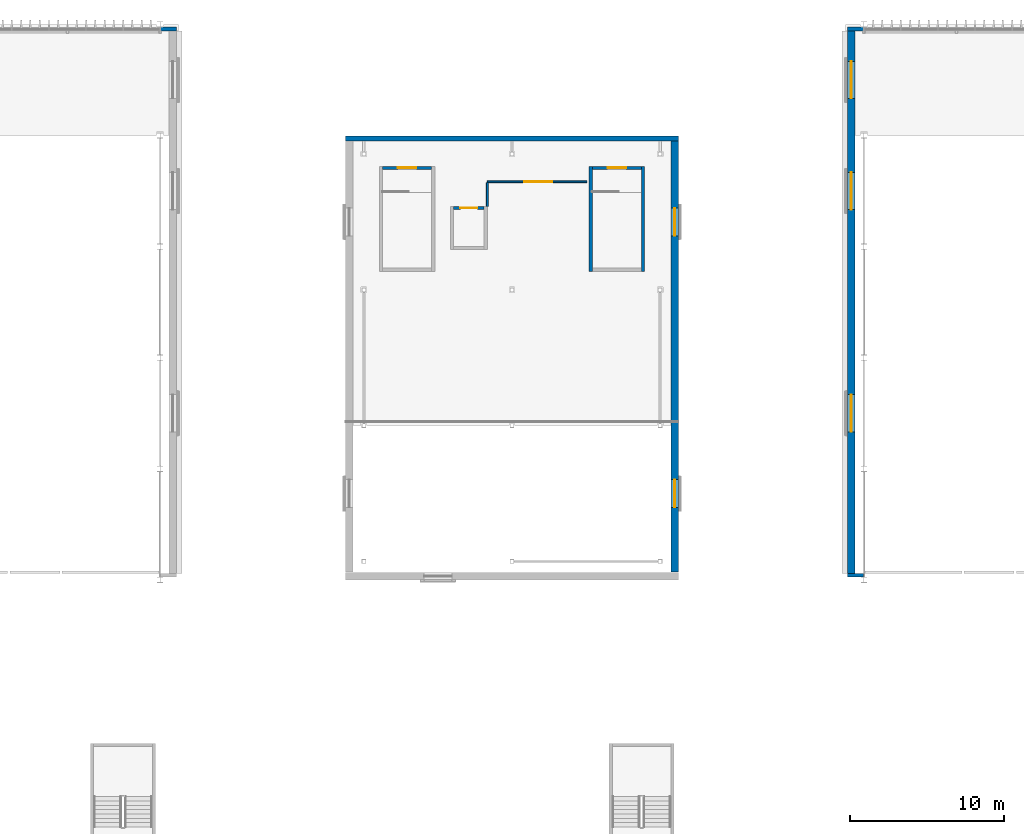
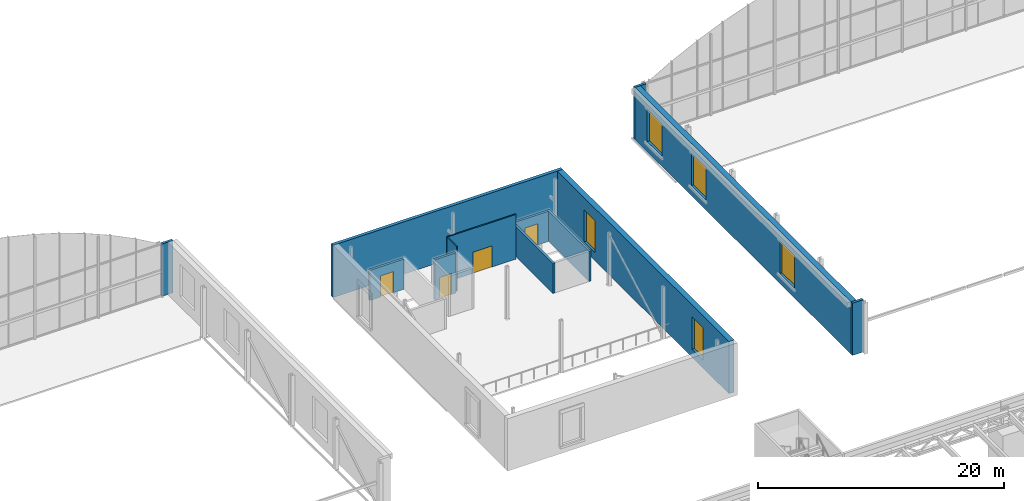
# One storey, part 57 of 93: 13 walls, 5 windows, 4 doors, 9 openings.
"""IFC4 building model written with IfcOpenShell, lengths in metres."""

import ifcopenshell
import ifcopenshell.guid

model = None  # the IFC model being written
_history = None  # IfcOwnerHistory: only IFC2X3 demands one
_inside = {}  # id of a spatial element -> (the spatial element, [elements in it])
_under = {}  # id of a project, library or spatial element -> (it, [spatial elements below it])
_declared = {}  # id of a project -> (the project, [libraries it declares])
_typed = {}  # id of a type object -> (the type object, [elements of that type])
_made_of = {}  # id of a material, layer set ... -> (it, [elements and type objects made of it])


def new_model(schema):
    """Start an empty IFC model of exactly this schema.

    Asked for "IFC4X3", IfcOpenShell would pick the latest addendum, in which some entities
    have other attributes; the version numbers below select the first issue.
    IFC2X3 requires an IfcOwnerHistory on every rooted entity: one is made here for all.
    """
    global model, _history
    if schema == "IFC4X3":
        model = ifcopenshell.file(schema_version=(4, 3, 0, 0))
    else:
        model = ifcopenshell.file(schema=schema)
    _inside.clear()
    _under.clear()
    _declared.clear()
    _typed.clear()
    _made_of.clear()
    _history = None
    if model.schema == "IFC2X3":
        org = make("IfcOrganization", Name="unknown")
        user = make(
            "IfcPersonAndOrganization",
            ThePerson=make("IfcPerson", FamilyName="unknown"),
            TheOrganization=org,
        )
        app = make(
            "IfcApplication",
            ApplicationDeveloper=org,
            Version="unknown",
            ApplicationFullName="unknown",
            ApplicationIdentifier="unknown",
        )
        _history = make(
            "IfcOwnerHistory",
            OwningUser=user,
            OwningApplication=app,
            ChangeAction="ADDED",
            CreationDate=0,
        )
    return model


def make(cls, **values):
    """One entity of the class cls with the attributes given. An attribute that is None is left unset."""
    return model.create_entity(
        cls, **{name: value for name, value in values.items() if value is not None}
    )


def rooted(cls, **values):
    """An entity with a GlobalId (a new one), such as an element, a storey or a relation."""
    return make(cls, GlobalId=ifcopenshell.guid.new(), OwnerHistory=_history, **values)


def si_unit(unit_type, name, prefix=None):
    """IfcSIUnit, for example si_unit("LENGTHUNIT", "METRE", prefix="MILLI")."""
    return make("IfcSIUnit", UnitType=unit_type, Prefix=prefix, Name=name)


def assignment(units):
    """IfcUnitAssignment: the units of a project."""
    return None if units is None else make("IfcUnitAssignment", Units=units)


def point(xyz):
    """IfcCartesianPoint."""
    return None if xyz is None else make("IfcCartesianPoint", Coordinates=xyz)


def direction(xyz):
    """IfcDirection."""
    return None if xyz is None else make("IfcDirection", DirectionRatios=xyz)


def frame(location, z_axis=None, x_axis=None):
    """IfcAxis2Placement3D, a coordinate frame: its origin and axes. An axis left out is left unset."""
    return make(
        "IfcAxis2Placement3D",
        Location=point(location),
        Axis=direction(z_axis),
        RefDirection=direction(x_axis),
    )


def frame_2d(location, x_axis=None):
    """IfcAxis2Placement2D, a coordinate frame in the plane: its origin and x axis."""
    return make(
        "IfcAxis2Placement2D", Location=point(location), RefDirection=direction(x_axis)
    )


def origin():
    """The frame at (0, 0, 0) with its axes left unset."""
    return frame((0.0, 0.0, 0.0))


def place(relative_to, where):
    """IfcLocalPlacement: puts the frame where relative to a parent placement (None: the world)."""
    return make(
        "IfcLocalPlacement", PlacementRelTo=relative_to, RelativePlacement=where
    )


def context(
    kind, dimensions, precision=None, world=None, true_north=None, identifier=None
):
    """IfcGeometricRepresentationContext, for example the 3D "Model" context."""
    return make(
        "IfcGeometricRepresentationContext",
        ContextIdentifier=identifier,
        ContextType=kind,
        CoordinateSpaceDimension=dimensions,
        Precision=precision,
        WorldCoordinateSystem=world,
        TrueNorth=true_north,
    )


def subcontext(parent, identifier, kind, view, scale=None):
    """IfcGeometricRepresentationSubContext, for example "Body" below "Model"."""
    return make(
        "IfcGeometricRepresentationSubContext",
        ContextIdentifier=identifier,
        ContextType=kind,
        ParentContext=parent,
        TargetScale=scale,
        TargetView=view,
    )


def project(units=None, contexts=None):
    """IfcProject with its units and contexts."""
    return rooted(
        "IfcProject",
        Name="project",
        RepresentationContexts=contexts,
        UnitsInContext=assignment(units),
    )


def spatial(cls, under=None, at=None, **own):
    """A site, building, storey or space (cls), placed at a placement, below another one or the project."""
    s = rooted(cls, ObjectPlacement=at, **own)
    if under is not None:
        _under.setdefault(under.id(), (under, []))[1].append(s)
    return s


def profile(cls, at=None, kind="AREA", **sizes):
    """A parametric profile (cls). Its sizes go by their IFC names, for example OverallWidth=200.0."""
    return make(cls, ProfileType=kind, Position=at, **sizes)


def rectangle(**sizes):
    """IfcRectangleProfileDef."""
    return profile("IfcRectangleProfileDef", **sizes)


def extrude(swept, where, along, depth):
    """IfcExtrudedAreaSolid: the profile swept, set in the frame where, extruded along a direction by depth."""
    return make(
        "IfcExtrudedAreaSolid",
        SweptArea=swept,
        Position=where,
        ExtrudedDirection=direction(along),
        Depth=depth,
    )


def shape(context_of_items, identifier, shape_type, items):
    """IfcShapeRepresentation: the items that make up one representation, for example the "Body"."""
    return make(
        "IfcShapeRepresentation",
        ContextOfItems=context_of_items,
        RepresentationIdentifier=identifier,
        RepresentationType=shape_type,
        Items=items,
    )


def material(Name=None, Category=None):
    """IfcMaterial."""
    return make("IfcMaterial", Name=Name, Category=Category)


def layer(
    of_material, thickness, ventilated=None, Name=None, Category=None, Priority=None
):
    """IfcMaterialLayer: one layer of a wall or slab, of a material (None: an air gap)."""
    return make(
        "IfcMaterialLayer",
        Material=of_material,
        LayerThickness=thickness,
        IsVentilated=ventilated,
        Name=Name,
        Category=Category,
        Priority=Priority,
    )


def layer_set(layers, Name=None):
    """IfcMaterialLayerSet."""
    return make("IfcMaterialLayerSet", MaterialLayers=layers, LayerSetName=Name)


def made_of(thing, what):
    """Note that an element or type object is made of a material, layer set ...; save() writes the relation."""
    if what is not None:
        _made_of.setdefault(what.id(), (what, []))[1].append(thing)
    return thing


def type_object(cls, material=None, **own):
    """A type object (cls), such as IfcWallType, which elements share."""
    return made_of(rooted(cls, **own), material)


def element(
    cls,
    number,
    at=None,
    inside=None,
    cuts=None,
    type_object=None,
    material=None,
    context=None,
    identifier="Body",
    shape_type=None,
    held_by="IfcProductDefinitionShape",
    body=None,
    shapes=None,
    **own,
):
    """One element of the class cls, such as IfcWall. Its Tag is "e" and its number.

    at: its placement. inside: the storey or other place that contains it. cuts: it is an
    opening in that element (IfcRelVoidsElement). A single representation is given by context,
    identifier, shape_type and body (its items); several are given by shapes. held_by: the class
    of the entity that holds the representations. save() writes the other relations.
    """
    e = rooted(cls, Tag="e%d" % number, ObjectPlacement=at, **own)
    if body is not None:
        shapes = [shape(context, identifier, shape_type, body)]
    if shapes is not None:
        e.Representation = make(held_by, Representations=shapes)
    if inside is not None:
        _inside.setdefault(inside.id(), (inside, []))[1].append(e)
    if cuts is not None:
        rooted(
            "IfcRelVoidsElement", RelatingBuildingElement=cuts, RelatedOpeningElement=e
        )
    if type_object is not None:
        _typed.setdefault(type_object.id(), (type_object, []))[1].append(e)
    return made_of(e, material)


def fill(opening, filler):
    """IfcRelFillsElement: the door or window that sits in an opening."""
    return rooted(
        "IfcRelFillsElement",
        RelatingOpeningElement=opening,
        RelatedBuildingElement=filler,
    )


def aggregate(whole, parts):
    """IfcRelAggregates: a whole, such as a stair, and the parts it consists of."""
    return rooted("IfcRelAggregates", RelatingObject=whole, RelatedObjects=parts)


def save(model, path):
    """Write the relations noted so far, then the file.

    IfcRelAggregates (storeys below a building ...), IfcRelContainedInSpatialStructure (elements
    in a storey), IfcRelDefinesByType, IfcRelAssociatesMaterial and IfcRelDeclares: one each for
    every whole, place, type object, material and project.
    """
    for whole, parts in _under.values():
        aggregate(whole, parts)
    for where, things in _inside.values():
        rooted(
            "IfcRelContainedInSpatialStructure",
            RelatedElements=things,
            RelatingStructure=where,
        )
    for kind, things in _typed.values():
        rooted("IfcRelDefinesByType", RelatedObjects=things, RelatingType=kind)
    for what, things in _made_of.values():
        rooted("IfcRelAssociatesMaterial", RelatedObjects=things, RelatingMaterial=what)
    for by, libraries in _declared.values():
        rooted("IfcRelDeclares", RelatingContext=by, RelatedDefinitions=libraries)
    model.write(path)


model = new_model("IFC4")

# Units and contexts
model_context = context("Model", 3, precision=1e-05, world=origin(), true_north=direction((0.0, 1.0)))
body_context = subcontext(model_context, "Body", "Model", "MODEL_VIEW")
ifc_project = project(units=[si_unit("LENGTHUNIT", "METRE"), si_unit("AREAUNIT", "SQUARE_METRE"), si_unit("VOLUMEUNIT", "CUBIC_METRE"), si_unit("PLANEANGLEUNIT", "RADIAN"), si_unit("MASSUNIT", "GRAM", prefix="KILO")], contexts=[model_context])

# Site, building, storey
site_placement = place(None, origin())
site = spatial("IfcSite", under=ifc_project, at=site_placement, CompositionType="ELEMENT")
building_placement = place(site_placement, origin())
building = spatial("IfcBuilding", under=site, at=building_placement, Name="Verrick Yard Athletic Hall", CompositionType="ELEMENT")
storey_placement = place(building_placement, frame((0.0, 0.0, 8.800048828125)))
storey = spatial("IfcBuildingStorey", under=building, at=storey_placement, Name="L02", CompositionType="ELEMENT", Elevation=8.800048828125)

# Walls
ifc_material_1 = material(Name="Concrete 35 MPa", Category="concrete")
ifc_layer_1 = layer(ifc_material_1, 0.199951171875)
ifc_layer_set_1 = layer_set([ifc_layer_1], Name="Enclosure wall CR200")
wall_type_1 = type_object("IfcWallType", Name="Enclosure wall CR200", PredefinedType="SOLIDWALL", material=ifc_layer_set_1)
for number, where, z_axis, x_axis, name in (
    (1, (103.89990234375, 92.0, 0.0), (0.0, 0.0, 1.0), (0.0, 1.0, 0.0), "CORE-CH-E-WW-L02"),
    (2, (107.300048828125, 92.0, 0.0), (0.0, 0.0, 1.0), (0.0, 1.0, 0.0), "CORE-CH-E-WE-L02"),
):
    element("IfcWall", number, at=place(storey_placement, frame(where, z_axis=z_axis, x_axis=x_axis)), inside=storey, type_object=wall_type_1, Name=name, PredefinedType="SOLIDWALL", context=body_context, shape_type="SweptSolid", body=[
        extrude(rectangle(XDim=6.800048828125, YDim=0.199951171875, at=frame_2d((3.39990234375, 0.0))), origin(), (0.0, 0.0, 1.0), 3.0),
    ])

# Wall, opening, door
wall_1_placement = place(storey_placement, frame((104.0, 98.699951171875, 0.0), z_axis=(0.0, 0.0, 1.0), x_axis=(1.0, 0.0, 0.0)))
wall_1 = element("IfcWall", 3, at=wall_1_placement, inside=storey, type_object=wall_type_1, Name="CORE-CH-E-WN-L02", PredefinedType="SOLIDWALL", context=body_context, shape_type="SweptSolid", body=[
    extrude(rectangle(XDim=3.199951171875, YDim=0.199951171875, at=frame_2d((1.60009765625, 0.0))), origin(), (0.0, 0.0, 1.0), 3.0),
])
opening_1_placement = place(wall_1_placement, frame((1.0, 0.0, 0.0)))
opening_1 = element("IfcOpeningElement", 4, at=opening_1_placement, cuts=wall_1, Name="Opening SD1", PredefinedType="OPENING", context=body_context, shape_type="SweptSolid", body=[
    extrude(rectangle(XDim=1.199951171875, YDim=2.10009765625, at=frame_2d((0.60009765625, 1.050048828125))), frame((0.0, 0.10986328125, 0.0), z_axis=(0.0, -1.0, 0.0), x_axis=(1.0, 0.0, 0.0)), (0.0, 0.0, 1.0), 0.219970703125),
])
ifc_material_2 = material(Name="Hollow metal door leaf")
door_type_1 = type_object("IfcDoorType", Name="Core door SD1 1200x2100", OperationType="NOTDEFINED", PredefinedType="DOOR", material=ifc_material_2)
door_1_placement = place(opening_1_placement, origin())
door_1 = element("IfcDoor", 5, at=door_1_placement, inside=storey, type_object=door_type_1, Name="CORE-CH-E-WN-L02-DSD1-10560", OperationType="SINGLE_SWING_LEFT", OverallHeight=2.10009765625, OverallWidth=1.199951171875, PredefinedType="DOOR", context=body_context, shape_type="SweptSolid", body=[
    extrude(rectangle(XDim=1.199951171875, YDim=2.10009765625, at=frame_2d((0.60009765625, 1.050048828125))), frame((0.0, 0.02490234375, 0.0), z_axis=(0.0, -1.0, 0.0), x_axis=(1.0, 0.0, 0.0)), (0.0, 0.0, 1.0), 0.050048828125),
])
fill(opening_1, door_1)

wall_2_placement = place(storey_placement, frame((90.39990234375, 98.699951171875, 0.0), z_axis=(0.0, 0.0, 1.0), x_axis=(1.0, 0.0, 0.0)))
wall_2 = element("IfcWall", 6, at=wall_2_placement, inside=storey, type_object=wall_type_1, Name="CORE-CH-W-WN-L02", PredefinedType="SOLIDWALL", context=body_context, shape_type="SweptSolid", body=[
    extrude(rectangle(XDim=3.2001953125, YDim=0.199951171875, at=frame_2d((1.60009765625, 0.0))), origin(), (0.0, 0.0, 1.0), 3.0),
])
opening_2_placement = place(wall_2_placement, frame((1.0, 0.0, 0.0)))
opening_2 = element("IfcOpeningElement", 7, at=opening_2_placement, cuts=wall_2, Name="Opening SD1", PredefinedType="OPENING", context=body_context, shape_type="SweptSolid", body=[
    extrude(rectangle(XDim=1.199951171875, YDim=2.10009765625, at=frame_2d((0.60009765625, 1.050048828125))), frame((0.0, 0.10986328125, 0.0), z_axis=(0.0, -1.0, 0.0), x_axis=(1.0, 0.0, 0.0)), (0.0, 0.0, 1.0), 0.219970703125),
])
door_2_placement = place(opening_2_placement, origin())
door_2 = element("IfcDoor", 8, at=door_2_placement, inside=storey, type_object=door_type_1, Name="CORE-CH-W-WN-L02-DSD1-9200", OperationType="SINGLE_SWING_RIGHT", OverallHeight=2.10009765625, OverallWidth=1.199951171875, PredefinedType="DOOR", context=body_context, shape_type="SweptSolid", body=[
    extrude(rectangle(XDim=1.199951171875, YDim=2.10009765625, at=frame_2d((0.60009765625, 1.050048828125))), frame((0.0, 0.02490234375, 0.0), z_axis=(0.0, -1.0, 0.0), x_axis=(1.0, 0.0, 0.0)), (0.0, 0.0, 1.0), 0.050048828125),
])
fill(opening_2, door_2)

wall_3_placement = place(storey_placement, frame((95.0, 96.10009765625, 0.0), z_axis=(0.0, 0.0, 1.0), x_axis=(1.0, 0.0, 0.0)))
wall_3 = element("IfcWall", 9, at=wall_3_placement, inside=storey, type_object=wall_type_1, Name="CORE-LF-CH-WN-L02", PredefinedType="SOLIDWALL", context=body_context, shape_type="SweptSolid", body=[
    extrude(rectangle(XDim=2.0, YDim=0.199951171875, at=frame_2d((1.0, 0.0))), origin(), (0.0, 0.0, 1.0), 4.0),
])
opening_3_placement = place(wall_3_placement, frame((0.449951171875, 0.0, 0.0)))
opening_3 = element("IfcOpeningElement", 10, at=opening_3_placement, cuts=wall_3, Name="Opening LD", PredefinedType="OPENING", context=body_context, shape_type="SweptSolid", body=[
    extrude(rectangle(XDim=1.10009765625, YDim=2.10009765625, at=frame_2d((0.550048828125, 1.050048828125))), frame((0.0, 0.10986328125, 0.0), z_axis=(0.0, -1.0, 0.0), x_axis=(1.0, 0.0, 0.0)), (0.0, 0.0, 1.0), 0.219970703125),
])
ifc_material_3 = material(Name="Stainless steel landing door", Category="steel")
door_type_2 = type_object("IfcDoorType", Name="Lift landing door LD 1100x2100", OperationType="NOTDEFINED", PredefinedType="DOOR", material=ifc_material_3)
door_3_placement = place(opening_3_placement, origin())
door_3 = element("IfcDoor", 11, at=door_3_placement, inside=storey, type_object=door_type_2, Name="Lift landing door", OperationType="SLIDING_TO_LEFT", OverallHeight=2.10009765625, OverallWidth=1.10009765625, PredefinedType="DOOR", context=body_context, shape_type="SweptSolid", body=[
    extrude(rectangle(XDim=1.10009765625, YDim=2.10009765625, at=frame_2d((0.550048828125, 1.050048828125))), frame((0.0, 0.02490234375, 0.0), z_axis=(0.0, -1.0, 0.0), x_axis=(1.0, 0.0, 0.0)), (0.0, 0.0, 1.0), 0.050048828125),
])
fill(opening_3, door_3)

# Walls
ifc_material_4 = material(Name="Tyndall-stone-look precast cladding", Category="masonry")
ifc_layer_2 = layer(ifc_material_4, 0.0625, Name="Tyndall-stone-look precast cladding")
ifc_material_5 = material(Name="Mineral wool insulation")
ifc_layer_3 = layer(ifc_material_5, 0.0625, Name="Mineral wool insulation")
ifc_layer_4 = layer(ifc_material_1, 0.25, Name="Concrete 35 MPa")
ifc_layer_set_2 = layer_set([ifc_layer_2, ifc_layer_3, ifc_layer_4], Name="Gable base wall")
wall_type_2 = type_object("IfcWallType", Name="Gable base wall", PredefinedType="SOLIDWALL", material=ifc_layer_set_2)
for number, where, z_axis, x_axis, name in (
    (12, (120.52490234375, 72.30126953125, 0.0), (0.0, 0.0, 1.0), (1.0, 0.0, 0.0), "ENVB-HAS-PIER-W-L02"),
    (13, (120.52490234375, 107.69873046875, 0.0), (0.0, 0.0, 1.0), (1.0, 0.0, 0.0), "ENVB-HAN-PIER-W-L02"),
):
    element("IfcWall", number, at=place(storey_placement, frame(where, z_axis=z_axis, x_axis=x_axis)), inside=storey, type_object=wall_type_2, Name=name, PredefinedType="SOLIDWALL", context=body_context, shape_type="SweptSolid", body=[
        extrude(rectangle(XDim=1.045166015625, YDim=0.234375, at=frame_2d((0.5224609375, 0.0))), origin(), (0.0, 0.0, 1.0), 5.199951171875),
    ])
wall_4_placement = place(storey_placement, frame((76.030029296875, 107.69873046875, 0.0), z_axis=(0.0, 0.0, 1.0), x_axis=(1.0, 0.0, 0.0)))
element("IfcWall", 14, at=wall_4_placement, inside=storey, type_object=wall_type_2, Name="ENVB-HBN-PIER-E-L02", PredefinedType="SOLIDWALL", context=body_context, shape_type="SweptSolid", body=[
    extrude(rectangle(XDim=1.044921875, YDim=0.234375, at=frame_2d((0.5224609375, 0.0))), origin(), (0.0, 0.0, 1.0), 5.199951171875),
])
ifc_layer_5 = layer(ifc_material_1, 0.300048828125)
ifc_layer_set_3 = layer_set([ifc_layer_5], Name="HB climbing wall 300")
wall_type_3 = type_object("IfcWallType", Name="HB climbing wall 300", PredefinedType="SOLIDWALL", material=ifc_layer_set_3)
wall_5_placement = place(storey_placement, frame((88.0, 100.60009765625, 0.0), z_axis=(0.0, 0.0, 1.0), x_axis=(1.0, 0.0, 0.0)))
element("IfcWall", 15, at=wall_5_placement, inside=storey, type_object=wall_type_3, Name="HB-CT-L02", PredefinedType="SOLIDWALL", context=body_context, shape_type="SweptSolid", body=[
    extrude(rectangle(XDim=21.60009765625, YDim=0.300048828125, at=frame_2d((10.800048828125, 0.0))), origin(), (0.0, 0.0, 1.0), 5.199951171875),
])

# Wall, openings, windows
ifc_material_6 = material(Name="Through-coloured mineral render, warm white")
ifc_layer_6 = layer(ifc_material_6, 0.125, Name="Through-coloured mineral render, warm white")
ifc_layer_7 = layer(ifc_material_5, 0.125, Name="Mineral wool insulation")
ifc_layer_8 = layer(ifc_material_1, 0.25, Name="Concrete 35 MPa")
ifc_layer_set_4 = layer_set([ifc_layer_6, ifc_layer_7, ifc_layer_8], Name="Hall upper wall")
wall_type_4 = type_object("IfcWallType", Name="Hall upper wall", PredefinedType="SOLIDWALL", material=ifc_layer_set_4)
wall_6_placement = place(storey_placement, frame((120.77490234375, 72.41845703125, 0.0), z_axis=(0.0, 0.0, 1.0), x_axis=(0.0, 1.0, 0.0)))
wall_6 = element("IfcWall", 16, at=wall_6_placement, inside=storey, type_object=wall_type_4, Name="ENVB-HA-W-L02", PredefinedType="SOLIDWALL", context=body_context, shape_type="SweptSolid", body=[
    extrude(rectangle(XDim=35.1630859375, YDim=0.5, at=frame_2d((17.58154296875, 0.0))), origin(), (0.0, 0.0, 1.0), 5.199951171875),
])
opening_4_placement = place(wall_6_placement, frame((9.1826171875, 0.0, 1.0)))
opening_4 = element("IfcOpeningElement", 17, at=opening_4_placement, cuts=wall_6, Name="Opening W26", PredefinedType="OPENING", context=body_context, shape_type="SweptSolid", body=[
    extrude(rectangle(XDim=2.39990234375, YDim=3.199951171875, at=frame_2d((1.199951171875, 1.60009765625))), frame((0.0, 0.260009765625, 0.0), z_axis=(0.0, -1.0, 0.0), x_axis=(1.0, 0.0, 0.0)), (0.0, 0.0, 1.0), 0.52001953125),
])
opening_5_placement = place(wall_6_placement, frame((23.58251953125, 0.0, 1.0)))
opening_5 = element("IfcOpeningElement", 18, at=opening_5_placement, cuts=wall_6, Name="Opening W26", PredefinedType="OPENING", context=body_context, shape_type="SweptSolid", body=[
    extrude(rectangle(XDim=2.39990234375, YDim=3.199951171875, at=frame_2d((1.199951171875, 1.60009765625))), frame((0.0, 0.260009765625, 0.0), z_axis=(0.0, -1.0, 0.0), x_axis=(1.0, 0.0, 0.0)), (0.0, 0.0, 1.0), 0.52001953125),
])
opening_6_placement = place(wall_6_placement, frame((30.782470703125, 0.0, 1.0)))
opening_6 = element("IfcOpeningElement", 19, at=opening_6_placement, cuts=wall_6, Name="Opening W26", PredefinedType="OPENING", context=body_context, shape_type="SweptSolid", body=[
    extrude(rectangle(XDim=2.39990234375, YDim=3.199951171875, at=frame_2d((1.199951171875, 1.60009765625))), frame((0.0, 0.260009765625, 0.0), z_axis=(0.0, -1.0, 0.0), x_axis=(1.0, 0.0, 0.0)), (0.0, 0.0, 1.0), 0.52001953125),
])
ifc_material_7 = material(Name="Anodised aluminium frame with insulated glazing", Category="aluminium")
window_type_1 = type_object("IfcWindowType", Name="Hall window 2400x3200", PartitioningType="NOTDEFINED", PredefinedType="WINDOW", material=ifc_material_7)
window_1_placement = place(opening_4_placement, origin())
window_1 = element("IfcWindow", 20, at=window_1_placement, inside=storey, type_object=window_type_1, Name="ENVB-HA-W-L02-W2", OverallHeight=3.199951171875, OverallWidth=2.39990234375, PartitioningType="SINGLE_PANEL", PredefinedType="WINDOW", context=body_context, shape_type="SweptSolid", body=[
    extrude(rectangle(XDim=2.39990234375, YDim=3.199951171875, at=frame_2d((1.199951171875, 1.60009765625))), frame((0.0, 0.030029296875, 0.0), z_axis=(0.0, -1.0, 0.0), x_axis=(1.0, 0.0, 0.0)), (0.0, 0.0, 1.0), 0.06005859375),
])
fill(opening_4, window_1)
window_2_placement = place(opening_5_placement, origin())
window_2 = element("IfcWindow", 21, at=window_2_placement, inside=storey, type_object=window_type_1, Name="ENVB-HA-W-L02-W4", OverallHeight=3.199951171875, OverallWidth=2.39990234375, PartitioningType="SINGLE_PANEL", PredefinedType="WINDOW", context=body_context, shape_type="SweptSolid", body=[
    extrude(rectangle(XDim=2.39990234375, YDim=3.199951171875, at=frame_2d((1.199951171875, 1.60009765625))), frame((0.0, 0.030029296875, 0.0), z_axis=(0.0, -1.0, 0.0), x_axis=(1.0, 0.0, 0.0)), (0.0, 0.0, 1.0), 0.06005859375),
])
fill(opening_5, window_2)
window_3_placement = place(opening_6_placement, origin())
window_3 = element("IfcWindow", 22, at=window_3_placement, inside=storey, type_object=window_type_1, Name="ENVB-HA-W-L02-W5", OverallHeight=3.199951171875, OverallWidth=2.39990234375, PartitioningType="SINGLE_PANEL", PredefinedType="WINDOW", context=body_context, shape_type="SweptSolid", body=[
    extrude(rectangle(XDim=2.39990234375, YDim=3.199951171875, at=frame_2d((1.199951171875, 1.60009765625))), frame((0.0, 0.030029296875, 0.0), z_axis=(0.0, -1.0, 0.0), x_axis=(1.0, 0.0, 0.0)), (0.0, 0.0, 1.0), 0.06005859375),
])
fill(opening_6, window_3)

# Wall, opening, door
ifc_material_8 = material(Name="Gypsum plasterboard on light-gauge studs")
ifc_layer_9 = layer(ifc_material_8, 0.125)
ifc_layer_set_5 = layer_set([ifc_layer_9], Name="PW2 Stud partition 125")
wall_type_5 = type_object("IfcWallType", Name="PW2 Stud partition 125", PredefinedType="PARTITIONING", material=ifc_layer_set_5)
wall_7_placement = place(storey_placement, frame((97.199951171875, 97.800048828125, 0.0), z_axis=(0.0, 0.0, 1.0), x_axis=(1.0, 0.0, 0.0)))
wall_7 = element("IfcWall", 23, at=wall_7_placement, inside=storey, type_object=wall_type_5, Name="Partition PW2", PredefinedType="PARTITIONING", context=body_context, shape_type="SweptSolid", body=[
    extrude(rectangle(XDim=6.449951171875, YDim=0.125, at=frame_2d((3.22509765625, 0.0))), origin(), (0.0, 0.0, 1.0), 4.449951171875),
])
opening_7_placement = place(wall_7_placement, frame((2.39990234375, 0.0, 0.0)))
opening_7 = element("IfcOpeningElement", 24, at=opening_7_placement, cuts=wall_7, Name="Opening D3", PredefinedType="OPENING", context=body_context, shape_type="SweptSolid", body=[
    extrude(rectangle(XDim=1.800048828125, YDim=2.10009765625, at=frame_2d((0.89990234375, 1.050048828125))), frame((0.0, 0.072509765625, 0.0), z_axis=(0.0, -1.0, 0.0), x_axis=(1.0, 0.0, 0.0)), (0.0, 0.0, 1.0), 0.14501953125),
])
ifc_material_9 = material(Name="Timber door leaf in steel frame", Category="steel")
door_type_3 = type_object("IfcDoorType", Name="D3 Double door 1800 x 2100", OperationType="NOTDEFINED", PredefinedType="DOOR", material=ifc_material_9)
door_4_placement = place(opening_7_placement, origin())
door_4 = element("IfcDoor", 25, at=door_4_placement, inside=storey, type_object=door_type_3, Name="D3 Climbing Viewing Gallery", OperationType="DOUBLE_DOOR_SINGLE_SWING", OverallHeight=2.10009765625, OverallWidth=1.800048828125, PredefinedType="DOOR", context=body_context, shape_type="SweptSolid", body=[
    extrude(rectangle(XDim=1.800048828125, YDim=2.10009765625, at=frame_2d((0.89990234375, 1.050048828125))), frame((0.0, 0.02490234375, 0.0), z_axis=(0.0, -1.0, 0.0), x_axis=(1.0, 0.0, 0.0)), (0.0, 0.0, 1.0), 0.050048828125),
])
fill(opening_7, door_4)

# Wall
wall_8_placement = place(storey_placement, frame((97.199951171875, 96.199951171875, 0.0), z_axis=(0.0, 0.0, 1.0), x_axis=(0.0, 1.0, 0.0)))
element("IfcWall", 26, at=wall_8_placement, inside=storey, type_object=wall_type_5, Name="Partition PW2", PredefinedType="PARTITIONING", context=body_context, shape_type="SweptSolid", body=[
    extrude(rectangle(XDim=1.53759765625, YDim=0.125, at=frame_2d((0.768798828125, 0.0))), origin(), (0.0, 0.0, 1.0), 4.449951171875),
])

# Wall, openings, windows
ifc_layer_10 = layer(ifc_material_4, 0.125, Name="Tyndall-stone-look precast cladding")
ifc_layer_11 = layer(ifc_material_5, 0.125, Name="Mineral wool insulation")
ifc_layer_12 = layer(ifc_material_1, 0.25, Name="Concrete 35 MPa")
ifc_layer_set_6 = layer_set([ifc_layer_10, ifc_layer_11, ifc_layer_12], Name="Pavilion wall")
wall_type_6 = type_object("IfcWallType", Name="Pavilion wall", PredefinedType="SOLIDWALL", material=ifc_layer_set_6)
wall_9_placement = place(storey_placement, frame((109.35009765625, 72.5, 0.0), z_axis=(0.0, 0.0, 1.0), x_axis=(0.0, 1.0, 0.0)))
wall_9 = element("IfcWall", 27, at=wall_9_placement, inside=storey, type_object=wall_type_6, Name="ENVB-CL-E-L02", PredefinedType="SOLIDWALL", context=body_context, shape_type="SweptSolid", body=[
    extrude(rectangle(XDim=27.949951171875, YDim=0.5, at=frame_2d((13.97509765625, 0.0))), origin(), (0.0, 0.0, 1.0), 5.199951171875),
])
opening_8_placement = place(wall_9_placement, frame((4.199951171875, 0.0, 0.800048828125)))
opening_8 = element("IfcOpeningElement", 28, at=opening_8_placement, cuts=wall_9, Name="Opening W27", PredefinedType="OPENING", context=body_context, shape_type="SweptSolid", body=[
    extrude(rectangle(XDim=1.800048828125, YDim=3.199951171875, at=frame_2d((0.89990234375, 1.60009765625))), frame((0.0, 0.260009765625, 0.0), z_axis=(0.0, -1.0, 0.0), x_axis=(1.0, 0.0, 0.0)), (0.0, 0.0, 1.0), 0.52001953125),
])
opening_9_placement = place(wall_9_placement, frame((21.800048828125, 0.0, 0.800048828125)))
opening_9 = element("IfcOpeningElement", 29, at=opening_9_placement, cuts=wall_9, Name="Opening W27", PredefinedType="OPENING", context=body_context, shape_type="SweptSolid", body=[
    extrude(rectangle(XDim=1.800048828125, YDim=3.199951171875, at=frame_2d((0.89990234375, 1.60009765625))), frame((0.0, 0.260009765625, 0.0), z_axis=(0.0, -1.0, 0.0), x_axis=(1.0, 0.0, 0.0)), (0.0, 0.0, 1.0), 0.52001953125),
])
window_type_2 = type_object("IfcWindowType", Name="Climbing hall window 1800x3200", PartitioningType="NOTDEFINED", PredefinedType="WINDOW", material=ifc_material_7)
window_4_placement = place(opening_8_placement, origin())
window_4 = element("IfcWindow", 30, at=window_4_placement, inside=storey, type_object=window_type_2, Name="ENVB-CL-E-L02-W1", OverallHeight=3.199951171875, OverallWidth=1.800048828125, PartitioningType="SINGLE_PANEL", PredefinedType="WINDOW", context=body_context, shape_type="SweptSolid", body=[
    extrude(rectangle(XDim=1.800048828125, YDim=3.199951171875, at=frame_2d((0.89990234375, 1.60009765625))), frame((0.0, 0.030029296875, 0.0), z_axis=(0.0, -1.0, 0.0), x_axis=(1.0, 0.0, 0.0)), (0.0, 0.0, 1.0), 0.06005859375),
])
fill(opening_8, window_4)
window_5_placement = place(opening_9_placement, origin())
window_5 = element("IfcWindow", 31, at=window_5_placement, inside=storey, type_object=window_type_2, Name="ENVB-CL-E-L02-W3", OverallHeight=3.199951171875, OverallWidth=1.800048828125, PartitioningType="SINGLE_PANEL", PredefinedType="WINDOW", context=body_context, shape_type="SweptSolid", body=[
    extrude(rectangle(XDim=1.800048828125, YDim=3.199951171875, at=frame_2d((0.89990234375, 1.60009765625))), frame((0.0, 0.030029296875, 0.0), z_axis=(0.0, -1.0, 0.0), x_axis=(1.0, 0.0, 0.0)), (0.0, 0.0, 1.0), 0.06005859375),
])
fill(opening_9, window_5)

save(model, "model.ifc")
